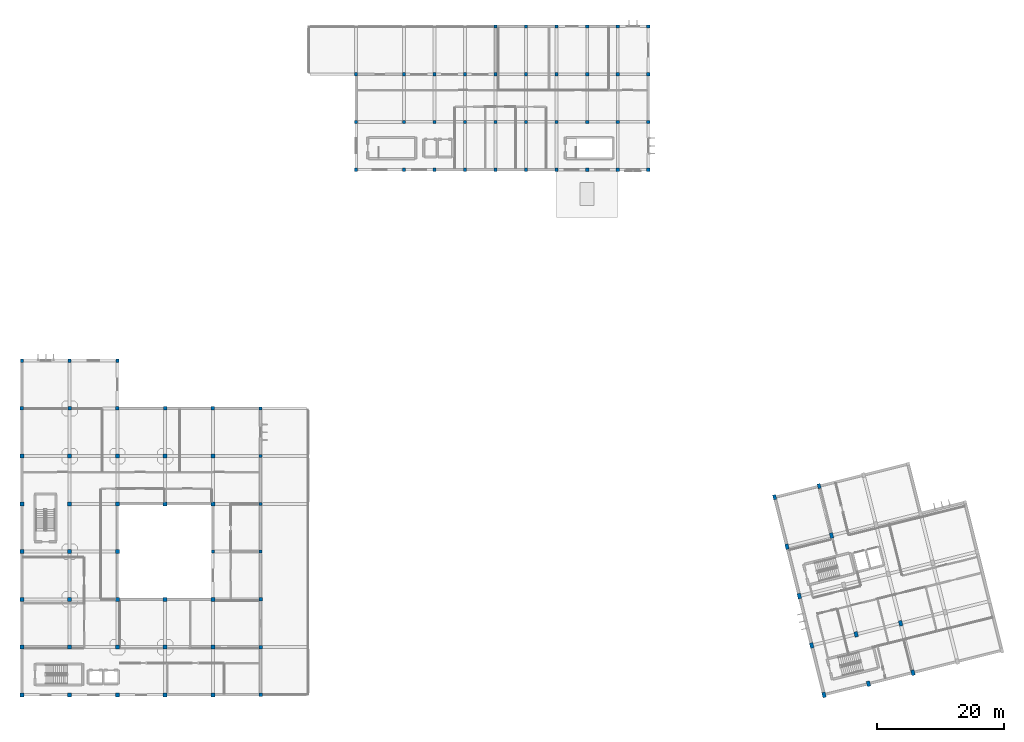
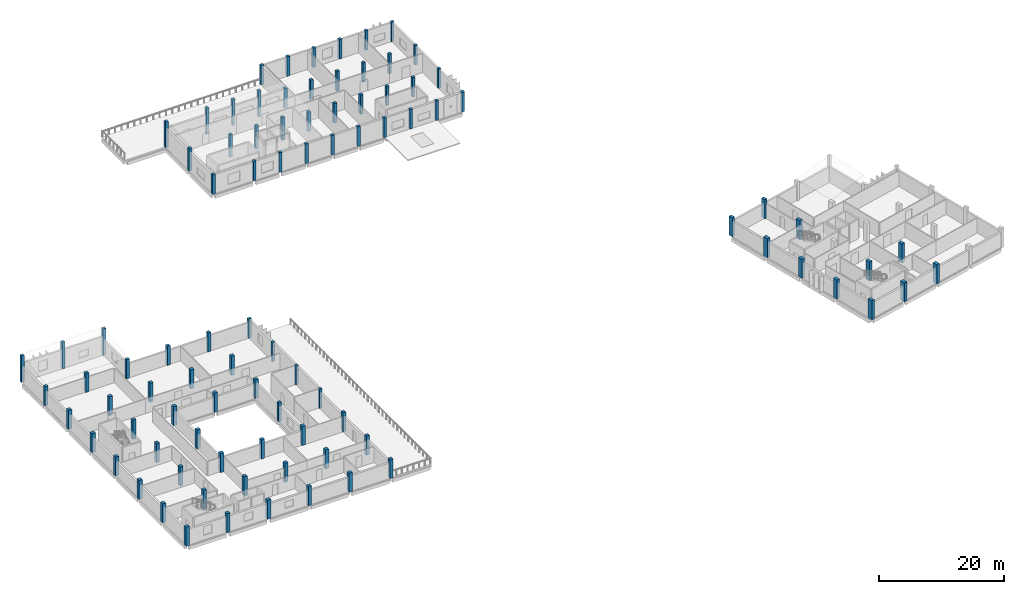
# One storey, part 1 of 21: 91 columns.
"""IFC4 building model written with IfcOpenShell, lengths in metres."""

from ifc_helpers import new_model, si_unit, direction, frame, origin, origin_2d, place, context, subcontext, project, spatial, rectangle, extrude, material, material_profile, profile_set, type_object, element, save


model = new_model("IFC4")

# Units and contexts
model_context = context("Model", 3, precision=1e-05, world=origin(), true_north=direction((0.0, 1.0)))
body_context = subcontext(model_context, "Body", "Model", "MODEL_VIEW")
ifc_project = project(units=[si_unit("LENGTHUNIT", "METRE"), si_unit("AREAUNIT", "SQUARE_METRE"), si_unit("VOLUMEUNIT", "CUBIC_METRE"), si_unit("PLANEANGLEUNIT", "RADIAN"), si_unit("MASSUNIT", "GRAM", prefix="KILO")], contexts=[model_context])

# Site, building, storey
site_placement = place(None, origin())
site = spatial("IfcSite", under=ifc_project, at=site_placement, CompositionType="ELEMENT")
building_placement = place(site_placement, origin())
building = spatial("IfcBuilding", under=site, at=building_placement, Name="Mawjan Specialist Oncology Clinic", CompositionType="ELEMENT")
storey_placement = place(building_placement, frame((0.0, 0.0, 13.5)))
storey = spatial("IfcBuildingStorey", under=building, at=storey_placement, Name="L03", CompositionType="ELEMENT", Elevation=13.5)

# Columns
ifc_material_1 = material(Name="Concrete C45/55", Category="concrete")
ifc_material_profile_1 = material_profile(ifc_material_1, rectangle(XDim=0.5, YDim=0.5, at=origin_2d()), Name="RC COL 500x500", Category="concrete")
ifc_profile_set_1 = profile_set([ifc_material_profile_1], Name="Concrete C45/55")
column_type_1 = type_object("IfcColumnType", Name="C-500", PredefinedType="COLUMN", material=ifc_profile_set_1)
for number, where, z_axis, x_axis, name in (
    (1, (0.0, 53.300048828125, 0.0), (0.0, 0.0, 1.0), (1.0, 0.0, 0.0), "L03 Column G-1-H"),
    (2, (7.5, 53.300048828125, 0.0), (0.0, 0.0, 1.0), (1.0, 0.0, 0.0), "L03 Column G-2-H"),
    (3, (15.0, 53.300048828125, 0.0), (0.0, 0.0, 1.0), (1.0, 0.0, 0.0), "L03 Column G-3-H"),
):
    element("IfcColumn", number, at=place(storey_placement, frame(where, z_axis=z_axis, x_axis=x_axis)), inside=storey, type_object=column_type_1, Name=name, PredefinedType="COLUMN", context=body_context, shape_type="SweptSolid", body=[
        extrude(rectangle(XDim=0.5, YDim=0.5, at=origin_2d()), origin(), (0.0, 0.0, 1.0), 5.156005859375),
    ])
for number, where, z_axis, x_axis, name in (
    (4, (30.0, 23.300048828125, 0.0), (0.0, 0.0, 1.0), (1.0, 0.0, 0.0), "L03 Column G-5-D"),
    (5, (37.5, 23.300048828125, 0.0), (0.0, 0.0, 1.0), (1.0, 0.0, 0.0), "L03 Column G-6-D"),
    (6, (37.5, 30.800048828125, 0.0), (0.0, 0.0, 1.0), (1.0, 0.0, 0.0), "L03 Column G-6-E"),
    (7, (37.5, 38.300048828125, 0.0), (0.0, 0.0, 1.0), (1.0, 0.0, 0.0), "L03 Column G-6-F"),
    (8, (37.5, 45.800048828125, 0.0), (0.0, 0.0, 1.0), (1.0, 0.0, 0.0), "L03 Column G-6-G"),
):
    element("IfcColumn", number, at=place(storey_placement, frame(where, z_axis=z_axis, x_axis=x_axis)), inside=storey, type_object=column_type_1, Name=name, PredefinedType="COLUMN", context=body_context, shape_type="SweptSolid", body=[
        extrude(rectangle(XDim=0.5, YDim=0.5, at=origin_2d()), origin(), (0.0, 0.0, 1.0), 3.719970703125),
    ])
column_1_placement = place(storey_placement, frame((52.5, 83.300048828125, 0.0), z_axis=(0.0, 0.0, 1.0), x_axis=(1.0, 0.0, 0.0)))
element("IfcColumn", 9, at=column_1_placement, inside=storey, type_object=column_type_1, Name="L03 Column G-8-M", PredefinedType="COLUMN", context=body_context, shape_type="SweptSolid", body=[
    extrude(rectangle(XDim=0.5, YDim=0.5, at=origin_2d()), origin(), (0.0, 0.0, 1.0), 3.829345703125),
])
column_2_placement = place(storey_placement, frame((52.5, 90.800048828125, 0.0), z_axis=(0.0, 0.0, 1.0), x_axis=(1.0, 0.0, 0.0)))
element("IfcColumn", 10, at=column_2_placement, inside=storey, type_object=column_type_1, Name="L03 Column G-8-N", PredefinedType="COLUMN", context=body_context, shape_type="SweptSolid", body=[
    extrude(rectangle(XDim=0.5, YDim=0.5, at=origin_2d()), origin(), (0.0, 0.0, 1.0), 4.42919921875),
])
column_3_placement = place(storey_placement, frame((52.5, 98.300048828125, 0.0), z_axis=(0.0, 0.0, 1.0), x_axis=(1.0, 0.0, 0.0)))
element("IfcColumn", 11, at=column_3_placement, inside=storey, type_object=column_type_1, Name="L03 Column G-8-P", PredefinedType="COLUMN", context=body_context, shape_type="SweptSolid", body=[
    extrude(rectangle(XDim=0.5, YDim=0.5, at=origin_2d()), origin(), (0.0, 0.0, 1.0), 5.029296875),
])
column_4_placement = place(storey_placement, frame((60.0, 83.300048828125, 0.0), z_axis=(0.0, 0.0, 1.0), x_axis=(1.0, 0.0, 0.0)))
element("IfcColumn", 12, at=column_4_placement, inside=storey, type_object=column_type_1, Name="L03 Column G-9-M", PredefinedType="COLUMN", context=body_context, shape_type="SweptSolid", body=[
    extrude(rectangle(XDim=0.5, YDim=0.5, at=origin_2d()), origin(), (0.0, 0.0, 1.0), 3.829345703125),
])
column_5_placement = place(storey_placement, frame((60.0, 90.800048828125, 0.0), z_axis=(0.0, 0.0, 1.0), x_axis=(1.0, 0.0, 0.0)))
element("IfcColumn", 13, at=column_5_placement, inside=storey, type_object=column_type_1, Name="L03 Column G-9-N", PredefinedType="COLUMN", context=body_context, shape_type="SweptSolid", body=[
    extrude(rectangle(XDim=0.5, YDim=0.5, at=origin_2d()), origin(), (0.0, 0.0, 1.0), 4.42919921875),
])
column_6_placement = place(storey_placement, frame((60.0, 98.300048828125, 0.0), z_axis=(0.0, 0.0, 1.0), x_axis=(1.0, 0.0, 0.0)))
element("IfcColumn", 14, at=column_6_placement, inside=storey, type_object=column_type_1, Name="L03 Column G-9-P", PredefinedType="COLUMN", context=body_context, shape_type="SweptSolid", body=[
    extrude(rectangle(XDim=0.5, YDim=0.5, at=origin_2d()), origin(), (0.0, 0.0, 1.0), 5.029296875),
])
column_7_placement = place(storey_placement, frame((64.800048828125, 83.300048828125, 0.0), z_axis=(0.0, 0.0, 1.0), x_axis=(1.0, 0.0, 0.0)))
element("IfcColumn", 15, at=column_7_placement, inside=storey, type_object=column_type_1, Name="L03 Column G-10-M", PredefinedType="COLUMN", context=body_context, shape_type="SweptSolid", body=[
    extrude(rectangle(XDim=0.5, YDim=0.5, at=origin_2d()), origin(), (0.0, 0.0, 1.0), 3.829345703125),
])
column_8_placement = place(storey_placement, frame((64.800048828125, 90.800048828125, 0.0), z_axis=(0.0, 0.0, 1.0), x_axis=(1.0, 0.0, 0.0)))
element("IfcColumn", 16, at=column_8_placement, inside=storey, type_object=column_type_1, Name="L03 Column G-10-N", PredefinedType="COLUMN", context=body_context, shape_type="SweptSolid", body=[
    extrude(rectangle(XDim=0.5, YDim=0.5, at=origin_2d()), origin(), (0.0, 0.0, 1.0), 4.42919921875),
])
column_9_placement = place(storey_placement, frame((64.800048828125, 98.300048828125, 0.0), z_axis=(0.0, 0.0, 1.0), x_axis=(1.0, 0.0, 0.0)))
element("IfcColumn", 17, at=column_9_placement, inside=storey, type_object=column_type_1, Name="L03 Column G-10-P", PredefinedType="COLUMN", context=body_context, shape_type="SweptSolid", body=[
    extrude(rectangle(XDim=0.5, YDim=0.5, at=origin_2d()), origin(), (0.0, 0.0, 1.0), 5.029296875),
])
column_10_placement = place(storey_placement, frame((69.60009765625, 83.300048828125, 0.0), z_axis=(0.0, 0.0, 1.0), x_axis=(1.0, 0.0, 0.0)))
element("IfcColumn", 18, at=column_10_placement, inside=storey, type_object=column_type_1, Name="L03 Column G-11-M", PredefinedType="COLUMN", context=body_context, shape_type="SweptSolid", body=[
    extrude(rectangle(XDim=0.5, YDim=0.5, at=origin_2d()), origin(), (0.0, 0.0, 1.0), 3.829345703125),
])
column_11_placement = place(storey_placement, frame((69.60009765625, 90.800048828125, 0.0), z_axis=(0.0, 0.0, 1.0), x_axis=(1.0, 0.0, 0.0)))
element("IfcColumn", 19, at=column_11_placement, inside=storey, type_object=column_type_1, Name="L03 Column G-11-N", PredefinedType="COLUMN", context=body_context, shape_type="SweptSolid", body=[
    extrude(rectangle(XDim=0.5, YDim=0.5, at=origin_2d()), origin(), (0.0, 0.0, 1.0), 4.42919921875),
])
column_12_placement = place(storey_placement, frame((69.60009765625, 98.300048828125, 0.0), z_axis=(0.0, 0.0, 1.0), x_axis=(1.0, 0.0, 0.0)))
element("IfcColumn", 20, at=column_12_placement, inside=storey, type_object=column_type_1, Name="L03 Column G-11-P", PredefinedType="COLUMN", context=body_context, shape_type="SweptSolid", body=[
    extrude(rectangle(XDim=0.5, YDim=0.5, at=origin_2d()), origin(), (0.0, 0.0, 1.0), 5.029296875),
])
for number, where, z_axis, x_axis, name in (
    (21, (74.39990234375, 83.300048828125, 0.0), (0.0, 0.0, 1.0), (1.0, 0.0, 0.0), "L03 Column G-12-M"),
    (22, (74.39990234375, 90.800048828125, 0.0), (0.0, 0.0, 1.0), (1.0, 0.0, 0.0), "L03 Column G-12-N"),
    (23, (74.39990234375, 98.300048828125, 0.0), (0.0, 0.0, 1.0), (1.0, 0.0, 0.0), "L03 Column G-12-P"),
    (24, (74.39990234375, 105.800048828125, 0.0), (0.0, 0.0, 1.0), (1.0, 0.0, 0.0), "L03 Column G-12-Q"),
    (25, (79.199951171875, 83.300048828125, 0.0), (0.0, 0.0, 1.0), (1.0, 0.0, 0.0), "L03 Column G-13-M"),
    (26, (79.199951171875, 90.800048828125, 0.0), (0.0, 0.0, 1.0), (1.0, 0.0, 0.0), "L03 Column G-13-N"),
    (27, (79.199951171875, 98.300048828125, 0.0), (0.0, 0.0, 1.0), (1.0, 0.0, 0.0), "L03 Column G-13-P"),
    (28, (79.199951171875, 105.800048828125, 0.0), (0.0, 0.0, 1.0), (1.0, 0.0, 0.0), "L03 Column G-13-Q"),
    (29, (84.0, 83.300048828125, 0.0), (0.0, 0.0, 1.0), (1.0, 0.0, 0.0), "L03 Column G-14-M"),
    (30, (84.0, 90.800048828125, 0.0), (0.0, 0.0, 1.0), (1.0, 0.0, 0.0), "L03 Column G-14-N"),
    (31, (84.0, 98.300048828125, 0.0), (0.0, 0.0, 1.0), (1.0, 0.0, 0.0), "L03 Column G-14-P"),
    (32, (84.0, 105.800048828125, 0.0), (0.0, 0.0, 1.0), (1.0, 0.0, 0.0), "L03 Column G-14-Q"),
    (33, (88.800048828125, 83.300048828125, 0.0), (0.0, 0.0, 1.0), (1.0, 0.0, 0.0), "L03 Column G-15-M"),
    (34, (88.800048828125, 90.800048828125, 0.0), (0.0, 0.0, 1.0), (1.0, 0.0, 0.0), "L03 Column G-15-N"),
    (35, (88.800048828125, 98.300048828125, 0.0), (0.0, 0.0, 1.0), (1.0, 0.0, 0.0), "L03 Column G-15-P"),
    (36, (88.800048828125, 105.800048828125, 0.0), (0.0, 0.0, 1.0), (1.0, 0.0, 0.0), "L03 Column G-15-Q"),
    (37, (93.60009765625, 83.300048828125, 0.0), (0.0, 0.0, 1.0), (1.0, 0.0, 0.0), "L03 Column G-16-M"),
    (38, (93.60009765625, 90.800048828125, 0.0), (0.0, 0.0, 1.0), (1.0, 0.0, 0.0), "L03 Column G-16-N"),
    (39, (93.60009765625, 98.300048828125, 0.0), (0.0, 0.0, 1.0), (1.0, 0.0, 0.0), "L03 Column G-16-P"),
    (40, (93.60009765625, 105.800048828125, 0.0), (0.0, 0.0, 1.0), (1.0, 0.0, 0.0), "L03 Column G-16-Q"),
    (41, (98.39990234375, 83.300048828125, 0.0), (0.0, 0.0, 1.0), (1.0, 0.0, 0.0), "L03 Column G-17-M"),
    (42, (98.39990234375, 90.800048828125, 0.0), (0.0, 0.0, 1.0), (1.0, 0.0, 0.0), "L03 Column G-17-N"),
    (43, (98.39990234375, 98.300048828125, 0.0), (0.0, 0.0, 1.0), (1.0, 0.0, 0.0), "L03 Column G-17-P"),
    (44, (98.39990234375, 105.800048828125, 0.0), (0.0, 0.0, 1.0), (1.0, 0.0, 0.0), "L03 Column G-17-Q"),
):
    element("IfcColumn", number, at=place(storey_placement, frame(where, z_axis=z_axis, x_axis=x_axis)), inside=storey, type_object=column_type_1, Name=name, PredefinedType="COLUMN", context=body_context, shape_type="SweptSolid", body=[
        extrude(rectangle(XDim=0.5, YDim=0.5, at=origin_2d()), origin(), (0.0, 0.0, 1.0), 3.800048828125),
    ])
ifc_material_2 = material(Name="Concrete C45/55", Category="concrete")
ifc_material_profile_2 = material_profile(ifc_material_2, rectangle(XDim=0.5, YDim=0.75, at=origin_2d()), Name="RC COL 500x750", Category="concrete")
ifc_profile_set_2 = profile_set([ifc_material_profile_2], Name="Concrete C45/55")
column_type_2 = type_object("IfcColumnType", Name="C-500x750", PredefinedType="COLUMN", material=ifc_profile_set_2)
for number, where, z_axis, x_axis, name in (
    (45, (118.258544921875, 31.849365234375, 0.0), (0.0, 0.0, 1.0), (0.970295726276, 0.2419218956, 0.0), "L03 Column R-RA-R5"),
    (46, (125.24462890625, 33.59130859375, 0.0), (0.0, 0.0, 1.0), (0.970295726276, 0.2419218956, 0.0), "L03 Column R-RB-R5"),
):
    element("IfcColumn", number, at=place(storey_placement, frame(where, z_axis=z_axis, x_axis=x_axis)), inside=storey, type_object=column_type_2, Name=name, PredefinedType="COLUMN", context=body_context, shape_type="SweptSolid", body=[
        extrude(rectangle(XDim=0.5, YDim=0.75, at=origin_2d()), origin(), (0.0, 0.0, 1.0), 3.719970703125),
    ])
ifc_material_3 = material(Name="Concrete C45/55", Category="concrete")
ifc_material_profile_3 = material_profile(ifc_material_3, rectangle(XDim=0.550048828125, YDim=0.550048828125, at=origin_2d()), Name="RC COL 550x550", Category="concrete")
ifc_profile_set_3 = profile_set([ifc_material_profile_3], Name="Concrete C45/55")
column_type_3 = type_object("IfcColumnType", Name="C-550", PredefinedType="COLUMN", material=ifc_profile_set_3)
for number, where, z_axis, x_axis, name in (
    (47, (0.0, 45.800048828125, 0.0), (0.0, 0.0, 1.0), (1.0, 0.0, 0.0), "L03 Column G-1-G"),
    (48, (7.5, 45.800048828125, 0.0), (0.0, 0.0, 1.0), (1.0, 0.0, 0.0), "L03 Column G-2-G"),
    (49, (15.0, 45.800048828125, 0.0), (0.0, 0.0, 1.0), (1.0, 0.0, 0.0), "L03 Column G-3-G"),
    (50, (22.5, 45.800048828125, 0.0), (0.0, 0.0, 1.0), (1.0, 0.0, 0.0), "L03 Column G-4-G"),
    (51, (30.0, 45.800048828125, 0.0), (0.0, 0.0, 1.0), (1.0, 0.0, 0.0), "L03 Column G-5-G"),
):
    element("IfcColumn", number, at=place(storey_placement, frame(where, z_axis=z_axis, x_axis=x_axis)), inside=storey, type_object=column_type_3, Name=name, PredefinedType="COLUMN", context=body_context, shape_type="SweptSolid", body=[
        extrude(rectangle(XDim=0.550048828125, YDim=0.550048828125, at=origin_2d()), origin(), (0.0, 0.0, 1.0), 3.719970703125),
    ])
for number, where, z_axis, x_axis, name in (
    (52, (37.5, 0.800048828125, 0.0), (0.0, 0.0, 1.0), (1.0, 0.0, 0.0), "L03 Column G-6-A"),
    (53, (37.5, 8.300048828125, 0.0), (0.0, 0.0, 1.0), (1.0, 0.0, 0.0), "L03 Column G-6-B"),
    (54, (37.5, 15.800048828125, 0.0), (0.0, 0.0, 1.0), (1.0, 0.0, 0.0), "L03 Column G-6-C"),
):
    element("IfcColumn", number, at=place(storey_placement, frame(where, z_axis=z_axis, x_axis=x_axis)), inside=storey, type_object=column_type_3, Name=name, PredefinedType="COLUMN", context=body_context, shape_type="SweptSolid", body=[
        extrude(rectangle(XDim=0.550048828125, YDim=0.550048828125, at=origin_2d()), origin(), (0.0, 0.0, 1.0), 3.75),
    ])
ifc_material_4 = material(Name="Concrete C45/55", Category="concrete")
ifc_material_profile_4 = material_profile(ifc_material_4, rectangle(XDim=0.550048828125, YDim=0.85009765625, at=origin_2d()), Name="RC COL 550x850", Category="concrete")
ifc_profile_set_4 = profile_set([ifc_material_profile_4], Name="Concrete C45/55")
column_type_4 = type_object("IfcColumnType", Name="C-550x850", PredefinedType="COLUMN", material=ifc_profile_set_4)
for number, where, z_axis, x_axis, name in (
    (55, (126.0, 0.800048828125, 0.0), (0.0, 0.0, 1.0), (0.970295726276, 0.2419218956, 0.0), "L03 Column R-RA-R1"),
    (56, (124.064697265625, 8.562255859375, 0.0), (0.0, 0.0, 1.0), (0.970295726276, 0.2419218956, 0.0), "L03 Column R-RA-R2"),
    (57, (122.129150390625, 16.32470703125, 0.0), (0.0, 0.0, 1.0), (0.970295726276, 0.2419218956, 0.0), "L03 Column R-RA-R3"),
    (58, (120.19384765625, 24.087158203125, 0.0), (0.0, 0.0, 1.0), (0.970295726276, 0.2419218956, 0.0), "L03 Column R-RA-R4"),
    (59, (132.986083984375, 2.541748046875, 0.0), (0.0, 0.0, 1.0), (0.970295726276, 0.2419218956, 0.0), "L03 Column R-RB-R1"),
    (60, (131.05078125, 10.30419921875, 0.0), (0.0, 0.0, 1.0), (0.970295726276, 0.2419218956, 0.0), "L03 Column R-RB-R2"),
    (61, (127.179931640625, 25.828857421875, 0.0), (0.0, 0.0, 1.0), (0.970295726276, 0.2419218956, 0.0), "L03 Column R-RB-R4"),
    (62, (139.97216796875, 4.28369140625, 0.0), (0.0, 0.0, 1.0), (0.970295726276, 0.2419218956, 0.0), "L03 Column R-RC-R1"),
    (63, (138.036865234375, 12.046142578125, 0.0), (0.0, 0.0, 1.0), (0.970295726276, 0.2419218956, 0.0), "L03 Column R-RC-R2"),
):
    element("IfcColumn", number, at=place(storey_placement, frame(where, z_axis=z_axis, x_axis=x_axis)), inside=storey, type_object=column_type_4, Name=name, PredefinedType="COLUMN", context=body_context, shape_type="SweptSolid", body=[
        extrude(rectangle(XDim=0.550048828125, YDim=0.85009765625, at=origin_2d()), origin(), (0.0, 0.0, 1.0), 3.719970703125),
    ])
ifc_material_5 = material(Name="Concrete C45/55", Category="concrete")
ifc_material_profile_5 = material_profile(ifc_material_5, rectangle(XDim=0.60009765625, YDim=0.60009765625, at=origin_2d()), Name="RC COL 600x600", Category="concrete")
ifc_profile_set_5 = profile_set([ifc_material_profile_5], Name="Concrete C45/55")
column_type_5 = type_object("IfcColumnType", Name="C-600", PredefinedType="COLUMN", material=ifc_profile_set_5)
for number, where, z_axis, x_axis, name in (
    (64, (0.0, 0.800048828125, 0.0), (0.0, 0.0, 1.0), (1.0, 0.0, 0.0), "L03 Column G-1-A"),
    (65, (0.0, 8.300048828125, 0.0), (0.0, 0.0, 1.0), (1.0, 0.0, 0.0), "L03 Column G-1-B"),
    (66, (0.0, 15.800048828125, 0.0), (0.0, 0.0, 1.0), (1.0, 0.0, 0.0), "L03 Column G-1-C"),
    (67, (0.0, 23.300048828125, 0.0), (0.0, 0.0, 1.0), (1.0, 0.0, 0.0), "L03 Column G-1-D"),
    (68, (0.0, 30.800048828125, 0.0), (0.0, 0.0, 1.0), (1.0, 0.0, 0.0), "L03 Column G-1-E"),
    (69, (0.0, 38.300048828125, 0.0), (0.0, 0.0, 1.0), (1.0, 0.0, 0.0), "L03 Column G-1-F"),
    (70, (7.5, 0.800048828125, 0.0), (0.0, 0.0, 1.0), (1.0, 0.0, 0.0), "L03 Column G-2-A"),
    (71, (7.5, 8.300048828125, 0.0), (0.0, 0.0, 1.0), (1.0, 0.0, 0.0), "L03 Column G-2-B"),
    (72, (7.5, 15.800048828125, 0.0), (0.0, 0.0, 1.0), (1.0, 0.0, 0.0), "L03 Column G-2-C"),
    (73, (7.5, 23.300048828125, 0.0), (0.0, 0.0, 1.0), (1.0, 0.0, 0.0), "L03 Column G-2-D"),
    (74, (7.5, 30.800048828125, 0.0), (0.0, 0.0, 1.0), (1.0, 0.0, 0.0), "L03 Column G-2-E"),
    (75, (7.5, 38.300048828125, 0.0), (0.0, 0.0, 1.0), (1.0, 0.0, 0.0), "L03 Column G-2-F"),
    (76, (15.0, 0.800048828125, 0.0), (0.0, 0.0, 1.0), (1.0, 0.0, 0.0), "L03 Column G-3-A"),
    (77, (15.0, 8.300048828125, 0.0), (0.0, 0.0, 1.0), (1.0, 0.0, 0.0), "L03 Column G-3-B"),
    (78, (15.0, 15.800048828125, 0.0), (0.0, 0.0, 1.0), (1.0, 0.0, 0.0), "L03 Column G-3-C"),
    (79, (15.0, 23.300048828125, 0.0), (0.0, 0.0, 1.0), (1.0, 0.0, 0.0), "L03 Column G-3-D"),
    (80, (15.0, 30.800048828125, 0.0), (0.0, 0.0, 1.0), (1.0, 0.0, 0.0), "L03 Column G-3-E"),
    (81, (15.0, 38.300048828125, 0.0), (0.0, 0.0, 1.0), (1.0, 0.0, 0.0), "L03 Column G-3-F"),
    (82, (22.5, 0.800048828125, 0.0), (0.0, 0.0, 1.0), (1.0, 0.0, 0.0), "L03 Column G-4-A"),
    (83, (22.5, 8.300048828125, 0.0), (0.0, 0.0, 1.0), (1.0, 0.0, 0.0), "L03 Column G-4-B"),
    (84, (22.5, 15.800048828125, 0.0), (0.0, 0.0, 1.0), (1.0, 0.0, 0.0), "L03 Column G-4-C"),
    (85, (22.5, 30.800048828125, 0.0), (0.0, 0.0, 1.0), (1.0, 0.0, 0.0), "L03 Column G-4-E"),
    (86, (22.5, 38.300048828125, 0.0), (0.0, 0.0, 1.0), (1.0, 0.0, 0.0), "L03 Column G-4-F"),
    (87, (30.0, 0.800048828125, 0.0), (0.0, 0.0, 1.0), (1.0, 0.0, 0.0), "L03 Column G-5-A"),
    (88, (30.0, 8.300048828125, 0.0), (0.0, 0.0, 1.0), (1.0, 0.0, 0.0), "L03 Column G-5-B"),
    (89, (30.0, 15.800048828125, 0.0), (0.0, 0.0, 1.0), (1.0, 0.0, 0.0), "L03 Column G-5-C"),
    (90, (30.0, 30.800048828125, 0.0), (0.0, 0.0, 1.0), (1.0, 0.0, 0.0), "L03 Column G-5-E"),
    (91, (30.0, 38.300048828125, 0.0), (0.0, 0.0, 1.0), (1.0, 0.0, 0.0), "L03 Column G-5-F"),
):
    element("IfcColumn", number, at=place(storey_placement, frame(where, z_axis=z_axis, x_axis=x_axis)), inside=storey, type_object=column_type_5, Name=name, PredefinedType="COLUMN", context=body_context, shape_type="SweptSolid", body=[
        extrude(rectangle(XDim=0.60009765625, YDim=0.60009765625, at=origin_2d()), origin(), (0.0, 0.0, 1.0), 3.719970703125),
    ])

save(model, "model.ifc")
